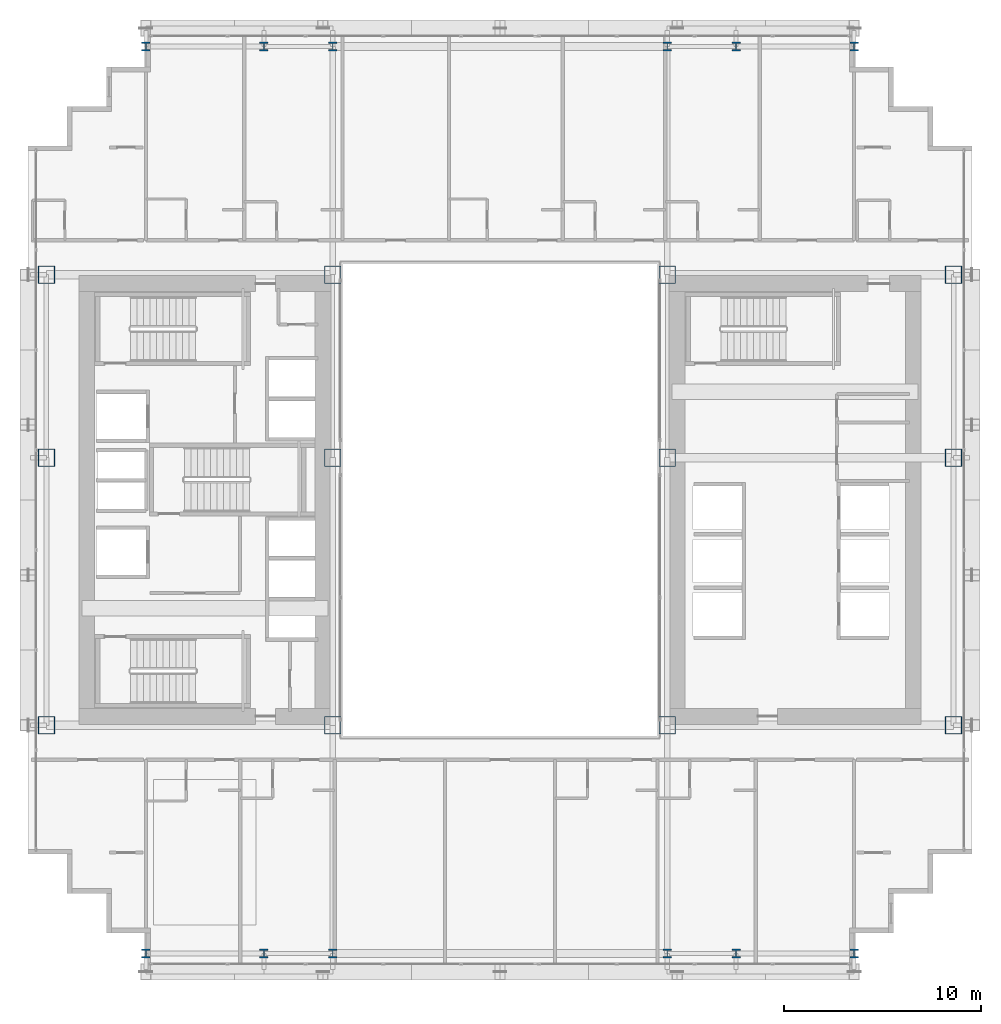
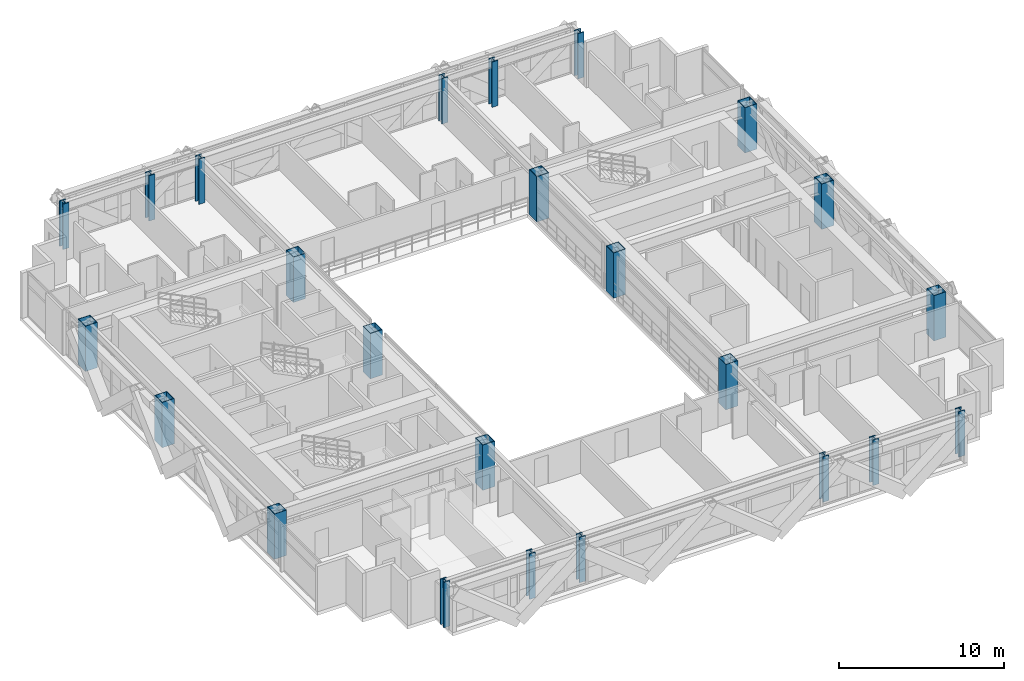
# One storey, part 1 of 41: 24 columns.
"""IFC4 building model written with IfcOpenShell, lengths in metres."""

import ifcopenshell
import ifcopenshell.guid

model = None  # the IFC model being written
_history = None  # IfcOwnerHistory: only IFC2X3 demands one
_inside = {}  # id of a spatial element -> (the spatial element, [elements in it])
_under = {}  # id of a project, library or spatial element -> (it, [spatial elements below it])
_declared = {}  # id of a project -> (the project, [libraries it declares])
_typed = {}  # id of a type object -> (the type object, [elements of that type])
_made_of = {}  # id of a material, layer set ... -> (it, [elements and type objects made of it])


def new_model(schema):
    """Start an empty IFC model of exactly this schema.

    Asked for "IFC4X3", IfcOpenShell would pick the latest addendum, in which some entities
    have other attributes; the version numbers below select the first issue.
    IFC2X3 requires an IfcOwnerHistory on every rooted entity: one is made here for all.
    """
    global model, _history
    if schema == "IFC4X3":
        model = ifcopenshell.file(schema_version=(4, 3, 0, 0))
    else:
        model = ifcopenshell.file(schema=schema)
    _inside.clear()
    _under.clear()
    _declared.clear()
    _typed.clear()
    _made_of.clear()
    _history = None
    if model.schema == "IFC2X3":
        org = make("IfcOrganization", Name="unknown")
        user = make(
            "IfcPersonAndOrganization",
            ThePerson=make("IfcPerson", FamilyName="unknown"),
            TheOrganization=org,
        )
        app = make(
            "IfcApplication",
            ApplicationDeveloper=org,
            Version="unknown",
            ApplicationFullName="unknown",
            ApplicationIdentifier="unknown",
        )
        _history = make(
            "IfcOwnerHistory",
            OwningUser=user,
            OwningApplication=app,
            ChangeAction="ADDED",
            CreationDate=0,
        )
    return model


def make(cls, **values):
    """One entity of the class cls with the attributes given. An attribute that is None is left unset."""
    return model.create_entity(
        cls, **{name: value for name, value in values.items() if value is not None}
    )


def rooted(cls, **values):
    """An entity with a GlobalId (a new one), such as an element, a storey or a relation."""
    return make(cls, GlobalId=ifcopenshell.guid.new(), OwnerHistory=_history, **values)


def si_unit(unit_type, name, prefix=None):
    """IfcSIUnit, for example si_unit("LENGTHUNIT", "METRE", prefix="MILLI")."""
    return make("IfcSIUnit", UnitType=unit_type, Prefix=prefix, Name=name)


def assignment(units):
    """IfcUnitAssignment: the units of a project."""
    return None if units is None else make("IfcUnitAssignment", Units=units)


def point(xyz):
    """IfcCartesianPoint."""
    return None if xyz is None else make("IfcCartesianPoint", Coordinates=xyz)


def direction(xyz):
    """IfcDirection."""
    return None if xyz is None else make("IfcDirection", DirectionRatios=xyz)


def frame(location, z_axis=None, x_axis=None):
    """IfcAxis2Placement3D, a coordinate frame: its origin and axes. An axis left out is left unset."""
    return make(
        "IfcAxis2Placement3D",
        Location=point(location),
        Axis=direction(z_axis),
        RefDirection=direction(x_axis),
    )


def frame_2d(location, x_axis=None):
    """IfcAxis2Placement2D, a coordinate frame in the plane: its origin and x axis."""
    return make(
        "IfcAxis2Placement2D", Location=point(location), RefDirection=direction(x_axis)
    )


def origin():
    """The frame at (0, 0, 0) with its axes left unset."""
    return frame((0.0, 0.0, 0.0))


def origin_2d():
    """The frame at (0, 0) in the plane with its x axis left unset."""
    return frame_2d((0.0, 0.0))


def place(relative_to, where):
    """IfcLocalPlacement: puts the frame where relative to a parent placement (None: the world)."""
    return make(
        "IfcLocalPlacement", PlacementRelTo=relative_to, RelativePlacement=where
    )


def context(
    kind, dimensions, precision=None, world=None, true_north=None, identifier=None
):
    """IfcGeometricRepresentationContext, for example the 3D "Model" context."""
    return make(
        "IfcGeometricRepresentationContext",
        ContextIdentifier=identifier,
        ContextType=kind,
        CoordinateSpaceDimension=dimensions,
        Precision=precision,
        WorldCoordinateSystem=world,
        TrueNorth=true_north,
    )


def subcontext(parent, identifier, kind, view, scale=None):
    """IfcGeometricRepresentationSubContext, for example "Body" below "Model"."""
    return make(
        "IfcGeometricRepresentationSubContext",
        ContextIdentifier=identifier,
        ContextType=kind,
        ParentContext=parent,
        TargetScale=scale,
        TargetView=view,
    )


def project(units=None, contexts=None):
    """IfcProject with its units and contexts."""
    return rooted(
        "IfcProject",
        Name="project",
        RepresentationContexts=contexts,
        UnitsInContext=assignment(units),
    )


def spatial(cls, under=None, at=None, **own):
    """A site, building, storey or space (cls), placed at a placement, below another one or the project."""
    s = rooted(cls, ObjectPlacement=at, **own)
    if under is not None:
        _under.setdefault(under.id(), (under, []))[1].append(s)
    return s


def profile(cls, at=None, kind="AREA", **sizes):
    """A parametric profile (cls). Its sizes go by their IFC names, for example OverallWidth=200.0."""
    return make(cls, ProfileType=kind, Position=at, **sizes)


def hollow_rectangle(**sizes):
    """IfcRectangleHollowProfileDef."""
    return profile("IfcRectangleHollowProfileDef", **sizes)


def i_section(**sizes):
    """IfcIShapeProfileDef."""
    return profile("IfcIShapeProfileDef", **sizes)


def extrude(swept, where, along, depth):
    """IfcExtrudedAreaSolid: the profile swept, set in the frame where, extruded along a direction by depth."""
    return make(
        "IfcExtrudedAreaSolid",
        SweptArea=swept,
        Position=where,
        ExtrudedDirection=direction(along),
        Depth=depth,
    )


def shape(context_of_items, identifier, shape_type, items):
    """IfcShapeRepresentation: the items that make up one representation, for example the "Body"."""
    return make(
        "IfcShapeRepresentation",
        ContextOfItems=context_of_items,
        RepresentationIdentifier=identifier,
        RepresentationType=shape_type,
        Items=items,
    )


def source(mapping_origin, context_of_items, identifier, shape_type, items):
    """IfcRepresentationMap: a shape defined once, which mapped items show again and again."""
    return make(
        "IfcRepresentationMap",
        MappingOrigin=mapping_origin,
        MappedRepresentation=shape(context_of_items, identifier, shape_type, items),
    )


def transform(
    local_origin,
    x_axis=None,
    y_axis=None,
    z_axis=None,
    scale=None,
    scale2=None,
    scale3=None,
    uniform=True,
):
    """IfcCartesianTransformationOperator3D, or its non-uniform kind. x_axis, y_axis, z_axis: its Axis1, 2, 3."""
    if uniform:
        return make(
            "IfcCartesianTransformationOperator3D",
            Axis1=direction(x_axis),
            Axis2=direction(y_axis),
            LocalOrigin=point(local_origin),
            Scale=scale,
            Axis3=direction(z_axis),
        )
    return make(
        "IfcCartesianTransformationOperator3DnonUniform",
        Axis1=direction(x_axis),
        Axis2=direction(y_axis),
        LocalOrigin=point(local_origin),
        Scale=scale,
        Axis3=direction(z_axis),
        Scale2=scale2,
        Scale3=scale3,
    )


def mapped(mapping_source, mapping_target):
    """IfcMappedItem: shows the shape of a source again, moved by a transform."""
    return make(
        "IfcMappedItem", MappingSource=mapping_source, MappingTarget=mapping_target
    )


def material(Name=None, Category=None):
    """IfcMaterial."""
    return make("IfcMaterial", Name=Name, Category=Category)


def material_profile(
    of_material, cross_section, Name=None, Category=None, Priority=None
):
    """IfcMaterialProfile: a cross section and its material."""
    return make(
        "IfcMaterialProfile",
        Name=Name,
        Material=of_material,
        Profile=cross_section,
        Priority=Priority,
        Category=Category,
    )


def profile_set(profiles, Name=None, composite=None):
    """IfcMaterialProfileSet."""
    return make(
        "IfcMaterialProfileSet",
        Name=Name,
        MaterialProfiles=profiles,
        CompositeProfile=composite,
    )


def made_of(thing, what):
    """Note that an element or type object is made of a material, layer set ...; save() writes the relation."""
    if what is not None:
        _made_of.setdefault(what.id(), (what, []))[1].append(thing)
    return thing


def type_object(cls, material=None, **own):
    """A type object (cls), such as IfcWallType, which elements share."""
    return made_of(rooted(cls, **own), material)


def element(
    cls,
    number,
    at=None,
    inside=None,
    cuts=None,
    type_object=None,
    material=None,
    context=None,
    identifier="Body",
    shape_type=None,
    held_by="IfcProductDefinitionShape",
    body=None,
    shapes=None,
    **own,
):
    """One element of the class cls, such as IfcWall. Its Tag is "e" and its number.

    at: its placement. inside: the storey or other place that contains it. cuts: it is an
    opening in that element (IfcRelVoidsElement). A single representation is given by context,
    identifier, shape_type and body (its items); several are given by shapes. held_by: the class
    of the entity that holds the representations. save() writes the other relations.
    """
    e = rooted(cls, Tag="e%d" % number, ObjectPlacement=at, **own)
    if body is not None:
        shapes = [shape(context, identifier, shape_type, body)]
    if shapes is not None:
        e.Representation = make(held_by, Representations=shapes)
    if inside is not None:
        _inside.setdefault(inside.id(), (inside, []))[1].append(e)
    if cuts is not None:
        rooted(
            "IfcRelVoidsElement", RelatingBuildingElement=cuts, RelatedOpeningElement=e
        )
    if type_object is not None:
        _typed.setdefault(type_object.id(), (type_object, []))[1].append(e)
    return made_of(e, material)


def aggregate(whole, parts):
    """IfcRelAggregates: a whole, such as a stair, and the parts it consists of."""
    return rooted("IfcRelAggregates", RelatingObject=whole, RelatedObjects=parts)


def save(model, path):
    """Write the relations noted so far, then the file.

    IfcRelAggregates (storeys below a building ...), IfcRelContainedInSpatialStructure (elements
    in a storey), IfcRelDefinesByType, IfcRelAssociatesMaterial and IfcRelDeclares: one each for
    every whole, place, type object, material and project.
    """
    for whole, parts in _under.values():
        aggregate(whole, parts)
    for where, things in _inside.values():
        rooted(
            "IfcRelContainedInSpatialStructure",
            RelatedElements=things,
            RelatingStructure=where,
        )
    for kind, things in _typed.values():
        rooted("IfcRelDefinesByType", RelatedObjects=things, RelatingType=kind)
    for what, things in _made_of.values():
        rooted("IfcRelAssociatesMaterial", RelatedObjects=things, RelatingMaterial=what)
    for by, libraries in _declared.values():
        rooted("IfcRelDeclares", RelatingContext=by, RelatedDefinitions=libraries)
    model.write(path)


model = new_model("IFC4")

# Units and contexts
model_context = context("Model", 3, precision=1e-05, world=origin(), true_north=direction((0.0, 1.0)))
body_context = subcontext(model_context, "Body", "Model", "MODEL_VIEW")
ifc_project = project(units=[si_unit("LENGTHUNIT", "METRE"), si_unit("AREAUNIT", "SQUARE_METRE"), si_unit("VOLUMEUNIT", "CUBIC_METRE"), si_unit("PLANEANGLEUNIT", "RADIAN"), si_unit("MASSUNIT", "GRAM", prefix="KILO")], contexts=[model_context])

# Site, building, storey
site_placement = place(None, origin())
site = spatial("IfcSite", under=ifc_project, at=site_placement, CompositionType="ELEMENT")
building_placement = place(site_placement, origin())
building = spatial("IfcBuilding", under=site, at=building_placement, Name="Ocotamira Hotel", CompositionType="ELEMENT")
storey_placement = place(building_placement, frame((0.0, 0.0, 67.199951171875)))
storey = spatial("IfcBuildingStorey", under=building, at=storey_placement, Name="L16", CompositionType="ELEMENT", Elevation=67.199951171875)

# Columns
ifc_material = material(Name="Steel ASTM A913 Grade 65", Category="steel")
ifc_material_profile_1 = material_profile(ifc_material, hollow_rectangle(XDim=0.85009765625, YDim=0.89990234375, WallThickness=0.0400390625, at=origin_2d()), Name="BOX900X850X40")
ifc_profile_set_1 = profile_set([ifc_material_profile_1], Name="Steel ASTM A913 Grade 65")
column_type_1 = type_object("IfcColumnType", Name="COL-BOX900", PredefinedType="COLUMN", material=ifc_profile_set_1)
shared_shape_1 = source(origin(), body_context, "Body", "SweptSolid", [
    extrude(hollow_rectangle(XDim=0.85009765625, YDim=0.89990234375, WallThickness=0.0400390625, at=origin_2d()), origin(), (0.0, 0.0, 1.0), 3.35009765625),
])
for number, where, z_axis, x_axis, name in (
    (1, (8.949951171875, 14.550048828125, 0.0), (0.0, 0.0, 1.0), (1.0, 0.0, 0.0), "L16 Column TW8_14"),
    (2, (23.5, 14.550048828125, 0.0), (0.0, 0.0, 1.0), (1.0, 0.0, 0.0), "L16 Column TW23_14"),
    (3, (40.5, 14.550048828125, 0.0), (0.0, 0.0, 1.0), (1.0, 0.0, 0.0), "L16 Column TE40_14"),
    (4, (55.050048828125, 14.550048828125, 0.0), (0.0, 0.0, 1.0), (1.0, 0.0, 0.0), "L16 Column TE55_14"),
    (5, (8.949951171875, 28.14990234375, 0.0), (0.0, 0.0, 1.0), (1.0, 0.0, 0.0), "L16 Column TW8_28"),
    (6, (23.5, 28.14990234375, 0.0), (0.0, 0.0, 1.0), (1.0, 0.0, 0.0), "L16 Column TW23_28"),
    (7, (40.5, 28.14990234375, 0.0), (0.0, 0.0, 1.0), (1.0, 0.0, 0.0), "L16 Column TE40_28"),
    (8, (55.050048828125, 28.14990234375, 0.0), (0.0, 0.0, 1.0), (1.0, 0.0, 0.0), "L16 Column TE55_28"),
    (9, (8.949951171875, 37.449951171875, 0.0), (0.0, 0.0, 1.0), (1.0, 0.0, 0.0), "L16 Column TW8_37"),
    (10, (23.5, 37.449951171875, 0.0), (0.0, 0.0, 1.0), (1.0, 0.0, 0.0), "L16 Column TW23_37"),
    (11, (40.5, 37.449951171875, 0.0), (0.0, 0.0, 1.0), (1.0, 0.0, 0.0), "L16 Column TE40_37"),
    (12, (55.050048828125, 37.449951171875, 0.0), (0.0, 0.0, 1.0), (1.0, 0.0, 0.0), "L16 Column TE55_37"),
):
    element("IfcColumn", number, at=place(storey_placement, frame(where, z_axis=z_axis, x_axis=x_axis)), inside=storey, type_object=column_type_1, Name=name, PredefinedType="COLUMN", context=body_context, shape_type="MappedRepresentation", body=[
        mapped(shared_shape_1, transform((0.0, 0.0, 0.0), scale=1.0)),
    ])
ifc_material_profile_2 = material_profile(ifc_material, i_section(OverallWidth=0.422119140625, OverallDepth=0.465087890625, WebThickness=0.044921875, FlangeThickness=0.072509765625, FilletRadius=0.02490234375, at=origin_2d()), Name="W14X398")
ifc_profile_set_2 = profile_set([ifc_material_profile_2], Name="Steel ASTM A913 Grade 65")
column_type_2 = type_object("IfcColumnType", Name="COL-W14X398", PredefinedType="COLUMN", material=ifc_profile_set_2)
shared_shape_2 = source(origin(), body_context, "Body", "SweptSolid", [
    extrude(i_section(OverallWidth=0.422119140625, OverallDepth=0.465087890625, WebThickness=0.044921875, FlangeThickness=0.072509765625, FilletRadius=0.02490234375, at=origin_2d()), origin(), (0.0, 0.0, 1.0), 3.35009765625),
])
for number, where, z_axis, x_axis, name in (
    (13, (14.0, 2.949951171875, 0.0), (0.0, 0.0, 1.0), (1.0, 0.0, 0.0), "L16 Column NSP1_14"),
    (14, (20.0, 2.949951171875, 0.0), (0.0, 0.0, 1.0), (1.0, 0.0, 0.0), "L16 Column NSP1_20"),
    (15, (23.5, 2.949951171875, 0.0), (0.0, 0.0, 1.0), (1.0, 0.0, 0.0), "L16 Column NSP1_23"),
    (16, (40.5, 2.949951171875, 0.0), (0.0, 0.0, 1.0), (1.0, 0.0, 0.0), "L16 Column NSP1_40"),
    (17, (44.0, 2.949951171875, 0.0), (0.0, 0.0, 1.0), (1.0, 0.0, 0.0), "L16 Column NSP1_44"),
    (18, (50.0, 2.949951171875, 0.0), (0.0, 0.0, 1.0), (1.0, 0.0, 0.0), "L16 Column NSP1_50"),
    (19, (14.0, 49.050048828125, 0.0), (0.0, 0.0, 1.0), (1.0, 0.0, 0.0), "L16 Column NSP2_14"),
    (20, (20.0, 49.050048828125, 0.0), (0.0, 0.0, 1.0), (1.0, 0.0, 0.0), "L16 Column NSP2_20"),
    (21, (23.5, 49.050048828125, 0.0), (0.0, 0.0, 1.0), (1.0, 0.0, 0.0), "L16 Column NSP2_23"),
    (22, (40.5, 49.050048828125, 0.0), (0.0, 0.0, 1.0), (1.0, 0.0, 0.0), "L16 Column NSP2_40"),
    (23, (44.0, 49.050048828125, 0.0), (0.0, 0.0, 1.0), (1.0, 0.0, 0.0), "L16 Column NSP2_44"),
    (24, (50.0, 49.050048828125, 0.0), (0.0, 0.0, 1.0), (1.0, 0.0, 0.0), "L16 Column NSP2_50"),
):
    element("IfcColumn", number, at=place(storey_placement, frame(where, z_axis=z_axis, x_axis=x_axis)), inside=storey, type_object=column_type_2, Name=name, PredefinedType="COLUMN", context=body_context, shape_type="MappedRepresentation", body=[
        mapped(shared_shape_2, transform((0.0, 0.0, 0.0), scale=1.0)),
    ])

save(model, "model.ifc")
